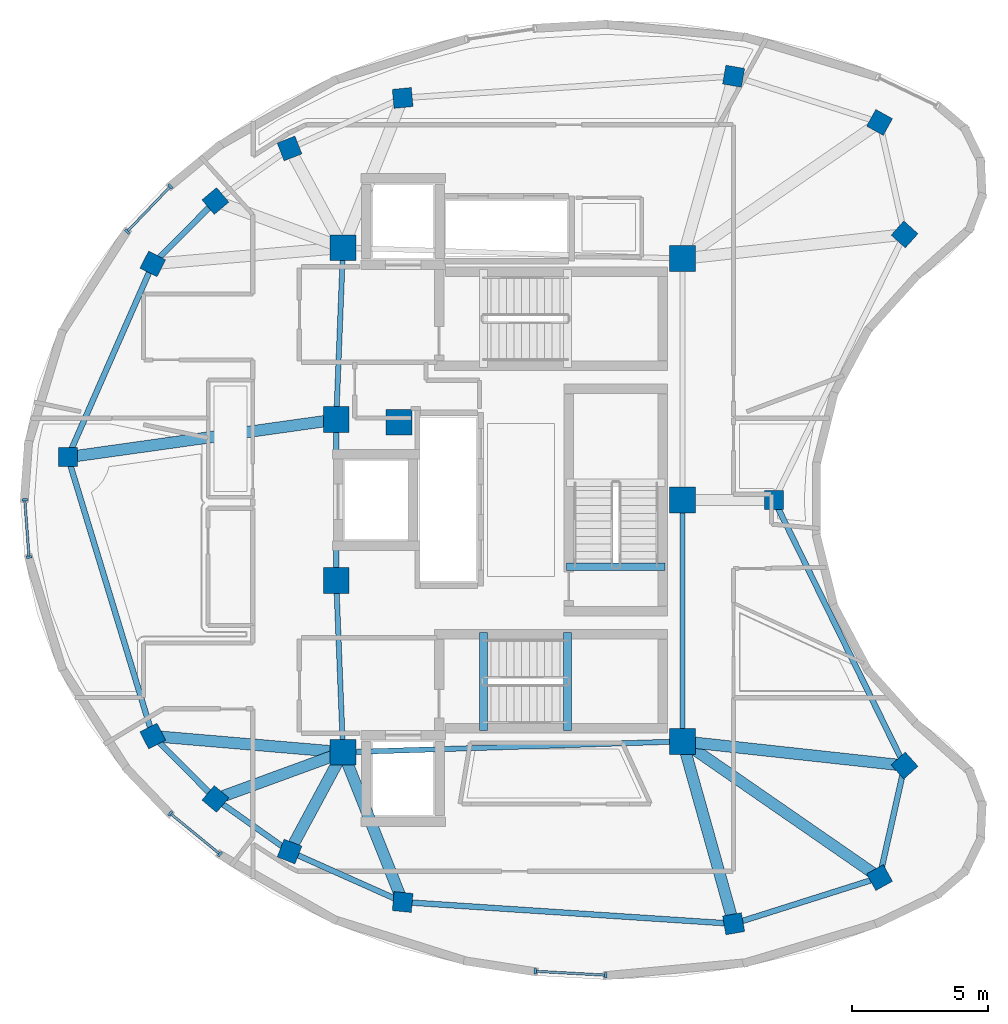
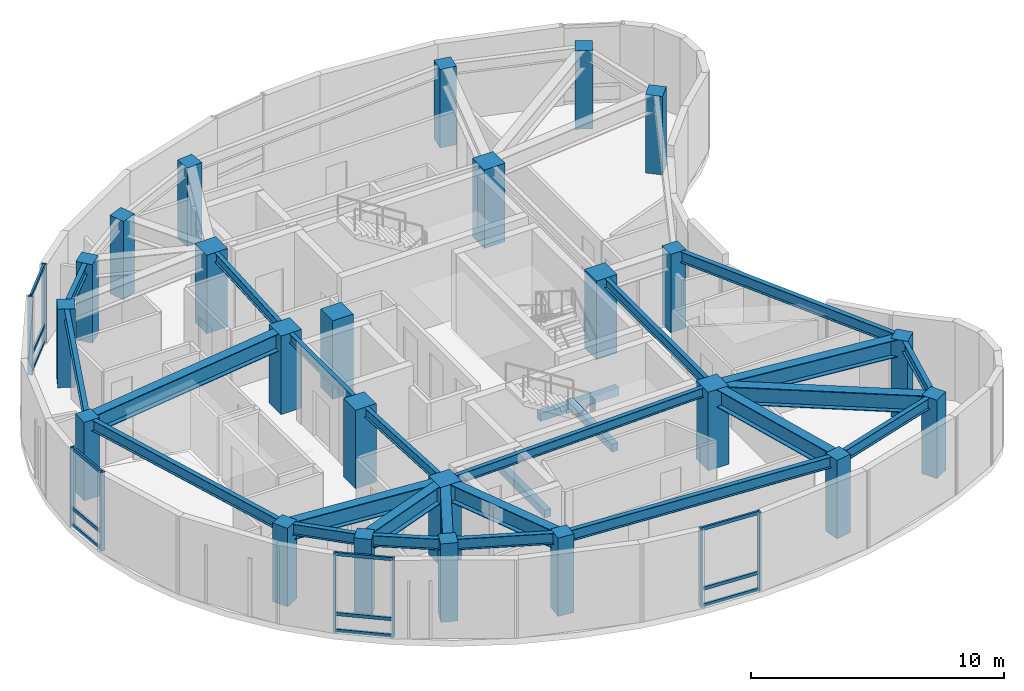
# One storey, part 1 of 8: 26 beams, 24 columns, 20 members, 4 elements without a shape of their own.
"""IFC4 building model written with IfcOpenShell, lengths in metres."""

from ifc_helpers import new_model, si_unit, direction, frame, origin, origin_2d, place, context, subcontext, project, spatial, rectangle, i_section, extrude, material, layer, layer_set, material_profile, profile_set, type_object, element, aggregate, save


model = new_model("IFC4")

# Units and contexts
model_context = context("Model", 3, precision=1e-05, world=origin(), true_north=direction((0.0, 1.0)))
body_context = subcontext(model_context, "Body", "Model", "MODEL_VIEW")
ifc_project = project(units=[si_unit("LENGTHUNIT", "METRE"), si_unit("AREAUNIT", "SQUARE_METRE"), si_unit("VOLUMEUNIT", "CUBIC_METRE"), si_unit("PLANEANGLEUNIT", "RADIAN"), si_unit("MASSUNIT", "GRAM", prefix="KILO")], contexts=[model_context])

# Site, building, storey
site_placement = place(None, origin())
site = spatial("IfcSite", under=ifc_project, at=site_placement, CompositionType="ELEMENT")
building_placement = place(site_placement, origin())
building = spatial("IfcBuilding", under=site, at=building_placement, Name="Korentha Bioscience Tower", CompositionType="ELEMENT")
storey_placement = place(building_placement, frame((0.0, 0.0, 318.60009765625)))
storey = spatial("IfcBuildingStorey", under=building, at=storey_placement, Name="L73", CompositionType="ELEMENT", Elevation=318.60009765625)

# Columns
ifc_material_1 = material(Name="Concrete C65", Category="concrete")
ifc_material_profile_1 = material_profile(ifc_material_1, rectangle(XDim=0.949951171875, YDim=0.949951171875, at=origin_2d()), Name="Concrete C65")
ifc_profile_set_1 = profile_set([ifc_material_profile_1], Name="Concrete C65 (COL-CP09)")
column_type_1 = type_object("IfcColumnType", Name="Core Pilaster Column RC 950x950", PredefinedType="PILASTER", material=ifc_profile_set_1)
for number, where, z_axis, x_axis, name in (
    (1, (37.550048828125, 35.85009765625, -0.00048828125), (0.0, 0.0, 1.0), (1.0, 0.0, 0.0), "L73 Core Pilaster CP-01"),
    (2, (25.10009765625, 36.25, -0.00048828125), (0.0, 0.0, 1.0), (1.0, 0.0, 0.0), "L73 Core Pilaster CP-02"),
    (3, (24.85009765625, 29.949951171875, -0.00048828125), (0.0, 0.0, 1.0), (1.0, 0.0, 0.0), "L73 Core Pilaster CP-03"),
    (4, (27.14990234375, 29.85009765625, -0.00048828125), (0.0, 0.0, 1.0), (1.0, 0.0, 0.0), "L73 Core Pilaster CP-04"),
    (5, (24.85009765625, 24.050048828125, -0.00048828125), (0.0, 0.0, 1.0), (1.0, 0.0, 0.0), "L73 Core Pilaster CP-05"),
    (6, (25.10009765625, 17.75, -0.00048828125), (0.0, 0.0, 1.0), (1.0, 0.0, 0.0), "L73 Core Pilaster CP-06"),
    (7, (37.550048828125, 18.14990234375, -0.00048828125), (0.0, 0.0, 1.0), (1.0, 0.0, 0.0), "L73 Core Pilaster CP-07"),
    (8, (37.550048828125, 27.0, -0.00048828125), (0.0, 0.0, 1.0), (1.0, 0.0, 0.0), "L73 Core Pilaster CP-08"),
):
    element("IfcColumn", number, at=place(storey_placement, frame(where, z_axis=z_axis, x_axis=x_axis)), inside=storey, type_object=column_type_1, Name=name, PredefinedType="PILASTER", context=body_context, shape_type="SweptSolid", body=[
        extrude(rectangle(XDim=0.949951171875, YDim=0.949951171875, at=origin_2d()), origin(), (0.0, 0.0, 1.0), 3.790771484375),
    ])
ifc_material_2 = material(Name="Concrete C50", Category="concrete")
ifc_material_profile_2 = material_profile(ifc_material_2, rectangle(XDim=0.699951171875, YDim=0.699951171875, at=origin_2d()), Name="Concrete C50")
ifc_profile_set_2 = profile_set([ifc_material_profile_2], Name="Concrete C50 (COL-P07)")
column_type_2 = type_object("IfcColumnType", Name="Perimeter Column RC 700x700", PredefinedType="COLUMN", material=ifc_profile_set_2)
for number, where, z_axis, x_axis, name in (
    (9, (44.77099609375, 40.843505859375, -0.00048828125), (0.0, 0.0, 1.0), (-0.874535078577, 0.484962262797, 0.0), "L73 Perimeter Column 01"),
    (10, (39.42138671875, 42.537353515625, -0.00048828125), (0.0, 0.0, 1.0), (-0.984868307662, 0.173304404339, 0.0), "L73 Perimeter Column 02"),
    (11, (27.2861328125, 41.740234375, -0.00048828125), (0.0, 0.0, 1.0), (0.995462868748, 0.095150811579, 0.0), "L73 Perimeter Column 03"),
    (12, (23.13818359375, 39.888916015625, -0.00048828125), (0.0, 0.0, 1.0), (0.930225540858, 0.366988341962, 0.0), "L73 Perimeter Column 04"),
    (13, (20.421630859375, 37.9619140625, -0.00048828125), (0.0, 0.0, 1.0), (0.764246456939, 0.644924300253, 0.0), "L73 Perimeter Column 05"),
    (14, (18.125, 35.6552734375, -0.00048828125), (0.0, 0.0, 1.0), (0.453057191132, 0.891481453292, 0.0), "L73 Perimeter Column 06"),
    (15, (15.0126953125, 28.570068359375, -0.00048828125), (0.0, 0.0, 1.0), (0.0, 1.0, 0.0), "L73 Perimeter Column 07"),
    (16, (18.125, 18.3447265625, -0.00048828125), (0.0, 0.0, 1.0), (-0.453057191132, 0.891481453292, 0.0), "L73 Perimeter Column 08"),
    (17, (20.421630859375, 16.0380859375, -0.00048828125), (0.0, 0.0, 1.0), (-0.764246456939, 0.644924300253, 0.0), "L73 Perimeter Column 09"),
    (18, (23.13818359375, 14.111083984375, -0.00048828125), (0.0, 0.0, 1.0), (-0.930225540858, 0.366988341962, 0.0), "L73 Perimeter Column 10"),
    (19, (27.2861328125, 12.259765625, -0.00048828125), (0.0, 0.0, 1.0), (-0.995462868748, 0.095150811579, 0.0), "L73 Perimeter Column 11"),
    (20, (39.42138671875, 11.462646484375, -0.00048828125), (0.0, 0.0, 1.0), (0.984868307662, 0.173304404339, 0.0), "L73 Perimeter Column 12"),
    (21, (44.77099609375, 13.156494140625, -0.00048828125), (0.0, 0.0, 1.0), (0.874535078577, 0.484962262797, 0.0), "L73 Perimeter Column 13"),
    (22, (45.688232421875, 17.26318359375, -0.00048828125), (0.0, 0.0, 1.0), (-0.669130606359, 0.743144825477, 0.0), "L73 Perimeter Column 14"),
    (23, (40.90380859375, 27.0, -0.00048828125), (0.0, 0.0, 1.0), (0.0, 1.0, 0.0), "L73 Perimeter Column 15"),
    (24, (45.688232421875, 36.73681640625, -0.00048828125), (0.0, 0.0, 1.0), (0.669130606359, 0.743144825477, 0.0), "L73 Perimeter Column 16"),
):
    element("IfcColumn", number, at=place(storey_placement, frame(where, z_axis=z_axis, x_axis=x_axis)), inside=storey, type_object=column_type_2, Name=name, PredefinedType="COLUMN", context=body_context, shape_type="SweptSolid", body=[
        extrude(rectangle(XDim=0.699951171875, YDim=0.699951171875, at=origin_2d()), origin(), (0.0, 0.0, 1.0), 3.790771484375),
    ])

# Beams
ifc_material_profile_3 = material_profile(ifc_material_2, rectangle(XDim=0.280029296875, YDim=0.3798828125, at=origin_2d()), Name="Concrete C50")
ifc_profile_set_3 = profile_set([ifc_material_profile_3], Name="Concrete C50 (ST-HB380)")
beam_type_1 = type_object("IfcBeamType", Name="Concrete Stair Header Beam RC 280x380", PredefinedType="BEAM", material=ifc_profile_set_3)
for number, where, z_axis, x_axis, name in (
    (25, (30.25, 18.550048828125, -0.190185546875), (0.0, 1.0, 0.0), (-1.0, 0.0, 0.0), "L73 ST-2 Concrete Stair Header Beam"),
    (26, (33.330078125, 18.550048828125, 1.909912109375), (0.0, 1.0, 0.0), (-1.0, 0.0, 0.0), "L73 ST-2 Half-Landing Header Beam 1"),
    (27, (36.89990234375, 24.550048828125, -0.190185546875), (-1.0, 0.0, 0.0), (0.0, -1.0, 0.0), "L73 ST-3 Concrete Stair Header Beam"),
):
    element("IfcBeam", number, at=place(storey_placement, frame(where, z_axis=z_axis, x_axis=x_axis)), inside=storey, type_object=beam_type_1, Name=name, PredefinedType="BEAM", context=body_context, shape_type="SweptSolid", body=[
        extrude(rectangle(XDim=0.280029296875, YDim=0.3798828125, at=origin_2d()), origin(), (0.0, 0.0, 1.0), 3.599853515625),
    ])
ifc_material_3 = material(Name="Steel S355", Category="steel")
ifc_material_profile_4 = material_profile(ifc_material_3, i_section(OverallWidth=0.18994140625, OverallDepth=0.45703125, WebThickness=0.009033203125, FlangeThickness=0.014404296875, at=origin_2d()), Name="Steel S355")
ifc_profile_set_4 = profile_set([ifc_material_profile_4], Name="Steel S355 (MB-460)")
beam_type_2 = type_object("IfcBeamType", Name="Mid-Ring Tie Girder W460x74", PredefinedType="BEAM", material=ifc_profile_set_4)
beam_1_placement = place(storey_placement, frame((25.10009765625, 36.25, 3.5615234375), z_axis=(-0.039651025576, -0.999213588864, 0.0), x_axis=(0.999213588864, -0.039651025576, 0.0)))
element("IfcBeam", 28, at=beam_1_placement, inside=storey, type_object=beam_type_2, Name="L73 Core Ring Tie Girder 02", PredefinedType="BEAM", context=body_context, shape_type="SweptSolid", body=[
    extrude(i_section(OverallWidth=0.18994140625, OverallDepth=0.45703125, WebThickness=0.009033203125, FlangeThickness=0.014404296875, at=origin_2d()), origin(), (0.0, 0.0, 1.0), 6.304931640625),
])
beam_2_placement = place(storey_placement, frame((24.85009765625, 29.949951171875, 3.5615234375), z_axis=(0.0, -1.0, 0.0), x_axis=(1.0, 0.0, 0.0)))
element("IfcBeam", 29, at=beam_2_placement, inside=storey, type_object=beam_type_2, Name="L73 Core Ring Tie Girder 03", PredefinedType="BEAM", context=body_context, shape_type="SweptSolid", body=[
    extrude(i_section(OverallWidth=0.18994140625, OverallDepth=0.45703125, WebThickness=0.009033203125, FlangeThickness=0.014404296875, at=origin_2d()), origin(), (0.0, 0.0, 1.0), 5.89990234375),
])
beam_3_placement = place(storey_placement, frame((24.85009765625, 24.050048828125, 3.5615234375), z_axis=(0.039651025576, -0.999213588864, 0.0), x_axis=(0.999213588864, 0.039651025576, 0.0)))
element("IfcBeam", 30, at=beam_3_placement, inside=storey, type_object=beam_type_2, Name="L73 Core Ring Tie Girder 04", PredefinedType="BEAM", context=body_context, shape_type="SweptSolid", body=[
    extrude(i_section(OverallWidth=0.18994140625, OverallDepth=0.45703125, WebThickness=0.009033203125, FlangeThickness=0.014404296875, at=origin_2d()), origin(), (0.0, 0.0, 1.0), 6.304931640625),
])
beam_4_placement = place(storey_placement, frame((25.10009765625, 17.75, 3.5615234375), z_axis=(0.999484526071, 0.032104238723, 0.0), x_axis=(-0.032104238723, 0.999484526071, 0.0)))
element("IfcBeam", 31, at=beam_4_placement, inside=storey, type_object=beam_type_2, Name="L73 Core Ring Tie Girder 05", PredefinedType="BEAM", context=body_context, shape_type="SweptSolid", body=[
    extrude(i_section(OverallWidth=0.18994140625, OverallDepth=0.45703125, WebThickness=0.009033203125, FlangeThickness=0.014404296875, at=origin_2d()), origin(), (0.0, 0.0, 1.0), 12.456298828125),
])
beam_5_placement = place(storey_placement, frame((37.550048828125, 18.14990234375, 3.5615234375), z_axis=(0.0, 1.0, 0.0), x_axis=(-1.0, 0.0, 0.0)))
element("IfcBeam", 32, at=beam_5_placement, inside=storey, type_object=beam_type_2, Name="L73 Core Ring Tie Girder 06", PredefinedType="BEAM", context=body_context, shape_type="SweptSolid", body=[
    extrude(i_section(OverallWidth=0.18994140625, OverallDepth=0.45703125, WebThickness=0.009033203125, FlangeThickness=0.014404296875, at=origin_2d()), origin(), (0.0, 0.0, 1.0), 8.85009765625),
])

# Curtain wall, members
ifc_material_4 = material(Name="Structural Silicone Glazed Aluminium", Category="aluminium")
ifc_layer = layer(ifc_material_4, 0.219970703125, Name="Structural Silicone Glazed Aluminium")
ifc_layer_set = layer_set([ifc_layer], Name="Structural Silicone Glazed Aluminium (CW-O1)")
curtain_wall_type = type_object("IfcCurtainWallType", Name="Sky Observatory Acoustic Curtain Wall CW-O1", PredefinedType="USERDEFINED", material=ifc_layer_set)
curtain_wall_1_placement = place(storey_placement, origin())
curtain_wall_1 = element("IfcCurtainWall", 33, at=curtain_wall_1_placement, inside=storey, type_object=curtain_wall_type, Name="L73 Curtain Wall 13", ObjectType="UNITISED", PredefinedType="USERDEFINED")
ifc_material_5 = material(Name="Anodised Aluminium 6063-T6", Category="aluminium")
ifc_material_profile_5 = material_profile(ifc_material_5, rectangle(XDim=0.090087890625, YDim=0.199951171875, at=origin_2d()), Name="Anodised Aluminium 6063-T6")
ifc_profile_set_5 = profile_set([ifc_material_profile_5], Name="Anodised Aluminium 6063-T6 (CW-MUL)")
member_type_1 = type_object("IfcMemberType", Name="Mullion RECT 90x200", PredefinedType="MULLION", material=ifc_profile_set_5)
member_1_placement = place(storey_placement, frame((18.771240234375, 38.49755859375, 0.0), z_axis=(0.0, 0.0, 1.0), x_axis=(-0.691464110116, -0.722410814164, 0.0)))
member_1 = element("IfcMember", 34, at=member_1_placement, type_object=member_type_1, Name="CW-L73-13 Mullion 1", PredefinedType="MULLION", context=body_context, shape_type="SweptSolid", body=[
    extrude(rectangle(XDim=0.090087890625, YDim=0.199951171875, at=origin_2d()), origin(), (0.0, 0.0, 1.0), 3.789794921875),
])
member_2_placement = place(storey_placement, frame((17.18212890625, 36.83740234375, 0.0), z_axis=(0.0, 0.0, 1.0), x_axis=(-0.691464110116, -0.722410814164, 0.0)))
member_2 = element("IfcMember", 35, at=member_2_placement, type_object=member_type_1, Name="CW-L73-13 Mullion 2", PredefinedType="MULLION", context=body_context, shape_type="SweptSolid", body=[
    extrude(rectangle(XDim=0.090087890625, YDim=0.199951171875, at=origin_2d()), origin(), (0.0, 0.0, 1.0), 3.789794921875),
])

curtain_wall_2_placement = place(storey_placement, origin())
curtain_wall_2 = element("IfcCurtainWall", 36, at=curtain_wall_2_placement, inside=storey, type_object=curtain_wall_type, Name="L73 Curtain Wall 19", ObjectType="UNITISED", PredefinedType="USERDEFINED")
member_3_placement = place(storey_placement, frame((13.431884765625, 27.0068359375, 0.0), z_axis=(0.0, 0.0, 1.0), x_axis=(0.073859936969, -0.99726862465, 0.0)))
member_3 = element("IfcMember", 37, at=member_3_placement, type_object=member_type_1, Name="CW-L73-19 Mullion 1", PredefinedType="MULLION", context=body_context, shape_type="SweptSolid", body=[
    extrude(rectangle(XDim=0.090087890625, YDim=0.199951171875, at=origin_2d()), origin(), (0.0, 0.0, 1.0), 3.789794921875),
])
member_4_placement = place(storey_placement, frame((13.58740234375, 24.907958984375, 0.0), z_axis=(0.0, 0.0, 1.0), x_axis=(0.073859936969, -0.99726862465, 0.0)))
member_4 = element("IfcMember", 38, at=member_4_placement, type_object=member_type_1, Name="CW-L73-19 Mullion 2", PredefinedType="MULLION", context=body_context, shape_type="SweptSolid", body=[
    extrude(rectangle(XDim=0.090087890625, YDim=0.199951171875, at=origin_2d()), origin(), (0.0, 0.0, 1.0), 3.789794921875),
])

curtain_wall_3_placement = place(storey_placement, origin())
curtain_wall_3 = element("IfcCurtainWall", 39, at=curtain_wall_3_placement, inside=storey, type_object=curtain_wall_type, Name="L73 Curtain Wall 25", ObjectType="UNITISED", PredefinedType="USERDEFINED")
member_5_placement = place(storey_placement, frame((18.764404296875, 15.5087890625, 0.0), z_axis=(0.0, 0.0, 1.0), x_axis=(0.773456171637, -0.633849785483, 0.0)))
member_5 = element("IfcMember", 40, at=member_5_placement, type_object=member_type_1, Name="CW-L73-25 Mullion 1", PredefinedType="MULLION", context=body_context, shape_type="SweptSolid", body=[
    extrude(rectangle(XDim=0.090087890625, YDim=0.199951171875, at=origin_2d()), origin(), (0.0, 0.0, 1.0), 3.789794921875),
])
member_6_placement = place(storey_placement, frame((20.586669921875, 14.015380859375, 0.0), z_axis=(0.0, 0.0, 1.0), x_axis=(0.773456171637, -0.633849785483, 0.0)))
member_6 = element("IfcMember", 41, at=member_6_placement, type_object=member_type_1, Name="CW-L73-25 Mullion 2", PredefinedType="MULLION", context=body_context, shape_type="SweptSolid", body=[
    extrude(rectangle(XDim=0.090087890625, YDim=0.199951171875, at=origin_2d()), origin(), (0.0, 0.0, 1.0), 3.789794921875),
])

curtain_wall_4_placement = place(storey_placement, origin())
curtain_wall_4 = element("IfcCurtainWall", 42, at=curtain_wall_4_placement, inside=storey, type_object=curtain_wall_type, Name="L73 Curtain Wall 31", ObjectType="UNITISED", PredefinedType="USERDEFINED")
member_7_placement = place(storey_placement, frame((32.149658203125, 9.72119140625, 0.0), z_axis=(0.0, 0.0, 1.0), x_axis=(0.998475949486, -0.055188570363, 0.0)))
member_7 = element("IfcMember", 43, at=member_7_placement, type_object=member_type_1, Name="CW-L73-31 Mullion 1", PredefinedType="MULLION", context=body_context, shape_type="SweptSolid", body=[
    extrude(rectangle(XDim=0.090087890625, YDim=0.199951171875, at=origin_2d()), origin(), (0.0, 0.0, 1.0), 3.789794921875),
])
member_8_placement = place(storey_placement, frame((34.732177734375, 9.57861328125, 0.0), z_axis=(0.0, 0.0, 1.0), x_axis=(0.998475949486, -0.055188570363, 0.0)))
member_8 = element("IfcMember", 44, at=member_8_placement, type_object=member_type_1, Name="CW-L73-31 Mullion 2", PredefinedType="MULLION", context=body_context, shape_type="SweptSolid", body=[
    extrude(rectangle(XDim=0.090087890625, YDim=0.199951171875, at=origin_2d()), origin(), (0.0, 0.0, 1.0), 3.789794921875),
])

# Beams
ifc_material_profile_6 = material_profile(ifc_material_3, i_section(OverallWidth=0.208984375, OverallDepth=0.532958984375, WebThickness=0.01025390625, FlangeThickness=0.015625, at=origin_2d()), Name="Steel S355")
ifc_profile_set_6 = profile_set([ifc_material_profile_6], Name="Steel S355 (SB-530)")
beam_type_3 = type_object("IfcBeamType", Name="Perimeter Ring Spandrel Girder W530x92", PredefinedType="SPANDREL", material=ifc_profile_set_6)
beam_6_placement = place(storey_placement, frame((20.421630859375, 37.9619140625, 3.5234375), z_axis=(-0.705567516795, -0.708642702103, 0.0), x_axis=(0.708642702103, -0.705567516795, 0.0)))
element("IfcBeam", 45, at=beam_6_placement, inside=storey, type_object=beam_type_3, Name="L73 Perimeter Spandrel Girder 05", PredefinedType="SPANDREL", context=body_context, shape_type="SweptSolid", body=[
    extrude(i_section(OverallWidth=0.208984375, OverallDepth=0.532958984375, WebThickness=0.01025390625, FlangeThickness=0.015625, at=origin_2d()), origin(), (0.0, 0.0, 1.0), 3.255126953125),
])
beam_7_placement = place(storey_placement, frame((18.125, 35.6552734375, 3.5234375), z_axis=(-0.402177140297, -0.915561875475, 0.0), x_axis=(0.915561875475, -0.402177140297, 0.0)))
element("IfcBeam", 46, at=beam_7_placement, inside=storey, type_object=beam_type_3, Name="L73 Perimeter Spandrel Girder 06", PredefinedType="SPANDREL", context=body_context, shape_type="SweptSolid", body=[
    extrude(i_section(OverallWidth=0.208984375, OverallDepth=0.532958984375, WebThickness=0.01025390625, FlangeThickness=0.015625, at=origin_2d()), origin(), (0.0, 0.0, 1.0), 7.738525390625),
])
beam_8_placement = place(storey_placement, frame((15.0126953125, 28.570068359375, 3.5234375), z_axis=(0.291182520757, -0.956667517796, 0.0), x_axis=(0.956667517796, 0.291182520757, 0.0)))
element("IfcBeam", 47, at=beam_8_placement, inside=storey, type_object=beam_type_3, Name="L73 Perimeter Spandrel Girder 07", PredefinedType="SPANDREL", context=body_context, shape_type="SweptSolid", body=[
    extrude(i_section(OverallWidth=0.208984375, OverallDepth=0.532958984375, WebThickness=0.01025390625, FlangeThickness=0.015625, at=origin_2d()), origin(), (0.0, 0.0, 1.0), 10.6884765625),
])
beam_9_placement = place(storey_placement, frame((18.125, 18.3447265625, 3.5234375), z_axis=(0.705567516795, -0.708642702103, 0.0), x_axis=(0.708642702103, 0.705567516795, 0.0)))
element("IfcBeam", 48, at=beam_9_placement, inside=storey, type_object=beam_type_3, Name="L73 Perimeter Spandrel Girder 08", PredefinedType="SPANDREL", context=body_context, shape_type="SweptSolid", body=[
    extrude(i_section(OverallWidth=0.208984375, OverallDepth=0.532958984375, WebThickness=0.01025390625, FlangeThickness=0.015625, at=origin_2d()), origin(), (0.0, 0.0, 1.0), 3.255126953125),
])
beam_10_placement = place(storey_placement, frame((20.421630859375, 16.0380859375, 3.5234375), z_axis=(0.815631003844, -0.578572437615, 0.0), x_axis=(0.578572437615, 0.815631003844, 0.0)))
element("IfcBeam", 49, at=beam_10_placement, inside=storey, type_object=beam_type_3, Name="L73 Perimeter Spandrel Girder 09", PredefinedType="SPANDREL", context=body_context, shape_type="SweptSolid", body=[
    extrude(i_section(OverallWidth=0.208984375, OverallDepth=0.532958984375, WebThickness=0.01025390625, FlangeThickness=0.015625, at=origin_2d()), origin(), (0.0, 0.0, 1.0), 3.33056640625),
])
beam_11_placement = place(storey_placement, frame((23.13818359375, 14.111083984375, 3.5234375), z_axis=(0.913174320366, -0.407569209613, 0.0), x_axis=(0.407569209613, 0.913174320366, 0.0)))
element("IfcBeam", 50, at=beam_11_placement, inside=storey, type_object=beam_type_3, Name="L73 Perimeter Spandrel Girder 10", PredefinedType="SPANDREL", context=body_context, shape_type="SweptSolid", body=[
    extrude(i_section(OverallWidth=0.208984375, OverallDepth=0.532958984375, WebThickness=0.01025390625, FlangeThickness=0.015625, at=origin_2d()), origin(), (0.0, 0.0, 1.0), 4.542236328125),
])
beam_12_placement = place(storey_placement, frame((27.2861328125, 12.259765625, 3.5234375), z_axis=(0.997849615433, -0.065544984396, 0.0), x_axis=(0.065544984396, 0.997849615433, 0.0)))
element("IfcBeam", 51, at=beam_12_placement, inside=storey, type_object=beam_type_3, Name="L73 Perimeter Spandrel Girder 11", PredefinedType="SPANDREL", context=body_context, shape_type="SweptSolid", body=[
    extrude(i_section(OverallWidth=0.208984375, OverallDepth=0.532958984375, WebThickness=0.01025390625, FlangeThickness=0.015625, at=origin_2d()), origin(), (0.0, 0.0, 1.0), 12.161376953125),
])
beam_13_placement = place(storey_placement, frame((39.42138671875, 11.462646484375, 3.5234375), z_axis=(0.953352242372, 0.301860070171, 0.0), x_axis=(-0.301860070171, 0.953352242372, 0.0)))
element("IfcBeam", 52, at=beam_13_placement, inside=storey, type_object=beam_type_3, Name="L73 Perimeter Spandrel Girder 12", PredefinedType="SPANDREL", context=body_context, shape_type="SweptSolid", body=[
    extrude(i_section(OverallWidth=0.208984375, OverallDepth=0.532958984375, WebThickness=0.01025390625, FlangeThickness=0.015625, at=origin_2d()), origin(), (0.0, 0.0, 1.0), 5.611328125),
])
beam_14_placement = place(storey_placement, frame((44.77099609375, 13.156494140625, 3.5234375), z_axis=(0.21798083403, 0.975953050098, 0.0), x_axis=(-0.975953050098, 0.21798083403, 0.0)))
element("IfcBeam", 53, at=beam_14_placement, inside=storey, type_object=beam_type_3, Name="L73 Perimeter Spandrel Girder 13", PredefinedType="SPANDREL", context=body_context, shape_type="SweptSolid", body=[
    extrude(i_section(OverallWidth=0.208984375, OverallDepth=0.532958984375, WebThickness=0.01025390625, FlangeThickness=0.015625, at=origin_2d()), origin(), (0.0, 0.0, 1.0), 4.207763671875),
])
beam_15_placement = place(storey_placement, frame((45.688232421875, 17.26318359375, 3.5234375), z_axis=(-0.441009789641, 0.897502292722, 0.0), x_axis=(-0.897502292722, -0.441009789641, 0.0)))
element("IfcBeam", 54, at=beam_15_placement, inside=storey, type_object=beam_type_3, Name="L73 Perimeter Spandrel Girder 14", PredefinedType="SPANDREL", context=body_context, shape_type="SweptSolid", body=[
    extrude(i_section(OverallWidth=0.208984375, OverallDepth=0.532958984375, WebThickness=0.01025390625, FlangeThickness=0.015625, at=origin_2d()), origin(), (0.0, 0.0, 1.0), 10.848876953125),
])
ifc_material_profile_7 = material_profile(ifc_material_3, i_section(OverallWidth=0.419921875, OverallDepth=0.85009765625, WebThickness=0.01806640625, FlangeThickness=0.031982421875, at=origin_2d()), Name="Steel S355")
ifc_profile_set_7 = profile_set([ifc_material_profile_7], Name="Steel S355 (MB-850)")
beam_type_4 = type_object("IfcBeamType", Name="Plant Heavy Girder CVS 850x315", PredefinedType="BEAM", material=ifc_profile_set_7)
beam_16_placement = place(storey_placement, frame((24.85009765625, 29.949951171875, 3.364990234375), z_axis=(-0.990305131157, -0.138909132906, 0.0), x_axis=(0.138909132906, -0.990305131157, 0.0)))
element("IfcBeam", 55, at=beam_16_placement, inside=storey, type_object=beam_type_4, Name="L73 Radial Girder 07", PredefinedType="BEAM", context=body_context, shape_type="SweptSolid", body=[
    extrude(i_section(OverallWidth=0.419921875, OverallDepth=0.85009765625, WebThickness=0.01806640625, FlangeThickness=0.031982421875, at=origin_2d()), origin(), (0.0, 0.0, 1.0), 9.93359375),
])
beam_17_placement = place(storey_placement, frame((25.10009765625, 17.75, 3.364990234375), z_axis=(-0.996384703201, 0.084956007595, 0.0), x_axis=(-0.084956007595, -0.996384703201, 0.0)))
element("IfcBeam", 56, at=beam_17_placement, inside=storey, type_object=beam_type_4, Name="L73 Radial Girder 08", PredefinedType="BEAM", context=body_context, shape_type="SweptSolid", body=[
    extrude(i_section(OverallWidth=0.419921875, OverallDepth=0.85009765625, WebThickness=0.01806640625, FlangeThickness=0.031982421875, at=origin_2d()), origin(), (0.0, 0.0, 1.0), 7.00048828125),
])
beam_18_placement = place(storey_placement, frame((25.10009765625, 17.75, 3.364990234375), z_axis=(-0.939104724197, -0.34363107687, 0.0), x_axis=(0.34363107687, -0.939104724197, 0.0)))
element("IfcBeam", 57, at=beam_18_placement, inside=storey, type_object=beam_type_4, Name="L73 Radial Girder 09", PredefinedType="BEAM", context=body_context, shape_type="SweptSolid", body=[
    extrude(i_section(OverallWidth=0.419921875, OverallDepth=0.85009765625, WebThickness=0.01806640625, FlangeThickness=0.031982421875, at=origin_2d()), origin(), (0.0, 0.0, 1.0), 4.98193359375),
])
beam_19_placement = place(storey_placement, frame((25.10009765625, 17.75, 3.364990234375), z_axis=(-0.474568134662, -0.880218771422, 0.0), x_axis=(0.880218771422, -0.474568134662, 0.0)))
element("IfcBeam", 58, at=beam_19_placement, inside=storey, type_object=beam_type_4, Name="L73 Radial Girder 10", PredefinedType="BEAM", context=body_context, shape_type="SweptSolid", body=[
    extrude(i_section(OverallWidth=0.419921875, OverallDepth=0.85009765625, WebThickness=0.01806640625, FlangeThickness=0.031982421875, at=origin_2d()), origin(), (0.0, 0.0, 1.0), 4.134033203125),
])
beam_20_placement = place(storey_placement, frame((25.10009765625, 17.75, 3.364990234375), z_axis=(0.369922863927, -0.929062470851, 0.0), x_axis=(0.929062470851, 0.369922863927, 0.0)))
element("IfcBeam", 59, at=beam_20_placement, inside=storey, type_object=beam_type_4, Name="L73 Radial Girder 11", PredefinedType="BEAM", context=body_context, shape_type="SweptSolid", body=[
    extrude(i_section(OverallWidth=0.419921875, OverallDepth=0.85009765625, WebThickness=0.01806640625, FlangeThickness=0.031982421875, at=origin_2d()), origin(), (0.0, 0.0, 1.0), 5.909423828125),
])
beam_21_placement = place(storey_placement, frame((37.550048828125, 18.14990234375, 3.364990234375), z_axis=(0.269483866639, -0.963004904256, 0.0), x_axis=(0.963004904256, 0.269483866639, 0.0)))
element("IfcBeam", 60, at=beam_21_placement, inside=storey, type_object=beam_type_4, Name="L73 Radial Girder 12", PredefinedType="BEAM", context=body_context, shape_type="SweptSolid", body=[
    extrude(i_section(OverallWidth=0.419921875, OverallDepth=0.85009765625, WebThickness=0.01806640625, FlangeThickness=0.031982421875, at=origin_2d()), origin(), (0.0, 0.0, 1.0), 6.944091796875),
])
beam_22_placement = place(storey_placement, frame((37.550048828125, 18.14990234375, 3.364990234375), z_axis=(0.822496411979, -0.568770298347, 0.0), x_axis=(0.568770298347, 0.822496411979, 0.0)))
element("IfcBeam", 61, at=beam_22_placement, inside=storey, type_object=beam_type_4, Name="L73 Radial Girder 13", PredefinedType="BEAM", context=body_context, shape_type="SweptSolid", body=[
    extrude(i_section(OverallWidth=0.419921875, OverallDepth=0.85009765625, WebThickness=0.01806640625, FlangeThickness=0.031982421875, at=origin_2d()), origin(), (0.0, 0.0, 1.0), 8.779296875),
])
beam_23_placement = place(storey_placement, frame((37.550048828125, 18.14990234375, 3.364990234375), z_axis=(0.994116431558, -0.108316760047, 0.0), x_axis=(0.108316760047, 0.994116431558, 0.0)))
element("IfcBeam", 62, at=beam_23_placement, inside=storey, type_object=beam_type_4, Name="L73 Radial Girder 14", PredefinedType="BEAM", context=body_context, shape_type="SweptSolid", body=[
    extrude(i_section(OverallWidth=0.419921875, OverallDepth=0.85009765625, WebThickness=0.01806640625, FlangeThickness=0.031982421875, at=origin_2d()), origin(), (0.0, 0.0, 1.0), 8.186279296875),
])

# Member
ifc_material_profile_8 = material_profile(ifc_material_5, rectangle(XDim=0.090087890625, YDim=0.159912109375, at=origin_2d()), Name="Anodised Aluminium 6063-T6")
ifc_profile_set_8 = profile_set([ifc_material_profile_8], Name="Anodised Aluminium 6063-T6 (CW-TRN)")
member_type_2 = type_object("IfcMemberType", Name="Transom RECT 90x160", PredefinedType="USERDEFINED", material=ifc_profile_set_8)
member_9_placement = place(storey_placement, frame((18.739990234375, 38.465087890625, 0.044921875), z_axis=(-0.691456104853, -0.722418476412, 0.0), x_axis=(0.722418476412, -0.691456104853, 0.0)))
member_9 = element("IfcMember", 63, at=member_9_placement, type_object=member_type_2, Name="CW-L73-13 Bay 1 Transom 1", ObjectType="TRANSOM", PredefinedType="USERDEFINED", context=body_context, shape_type="SweptSolid", body=[
    extrude(rectangle(XDim=0.090087890625, YDim=0.159912109375, at=origin_2d()), origin(), (0.0, 0.0, 1.0), 2.207763671875),
])

member_10_placement = place(storey_placement, frame((18.739990234375, 38.465087890625, 0.849853515625), z_axis=(-0.691456104853, -0.722418476412, 0.0), x_axis=(0.722418476412, -0.691456104853, 0.0)))
member_10 = element("IfcMember", 64, at=member_10_placement, type_object=member_type_2, Name="CW-L73-13 Bay 1 Transom 2", ObjectType="TRANSOM", PredefinedType="USERDEFINED", context=body_context, shape_type="SweptSolid", body=[
    extrude(rectangle(XDim=0.090087890625, YDim=0.159912109375, at=origin_2d()), origin(), (0.0, 0.0, 1.0), 2.207763671875),
])

member_11_placement = place(storey_placement, frame((18.739990234375, 38.465087890625, 3.744873046875), z_axis=(-0.691456104853, -0.722418476412, 0.0), x_axis=(0.722418476412, -0.691456104853, 0.0)))
member_11 = element("IfcMember", 65, at=member_11_placement, type_object=member_type_2, Name="CW-L73-13 Bay 1 Transom 3", ObjectType="TRANSOM", PredefinedType="USERDEFINED", context=body_context, shape_type="SweptSolid", body=[
    extrude(rectangle(XDim=0.090087890625, YDim=0.159912109375, at=origin_2d()), origin(), (0.0, 0.0, 1.0), 2.207763671875),
])

aggregate(curtain_wall_1, [member_1, member_2, member_9, member_10, member_11])

member_12_placement = place(storey_placement, frame((13.435302734375, 26.9619140625, 0.044921875), z_axis=(0.073804724967, -0.997272712237, 0.0), x_axis=(0.997272712237, 0.073804724967, 0.0)))
member_12 = element("IfcMember", 66, at=member_12_placement, type_object=member_type_2, Name="CW-L73-19 Bay 1 Transom 1", ObjectType="TRANSOM", PredefinedType="USERDEFINED", context=body_context, shape_type="SweptSolid", body=[
    extrude(rectangle(XDim=0.090087890625, YDim=0.159912109375, at=origin_2d()), origin(), (0.0, 0.0, 1.0), 2.0146484375),
])

member_13_placement = place(storey_placement, frame((13.435302734375, 26.9619140625, 0.849853515625), z_axis=(0.073804724967, -0.997272712237, 0.0), x_axis=(0.997272712237, 0.073804724967, 0.0)))
member_13 = element("IfcMember", 67, at=member_13_placement, type_object=member_type_2, Name="CW-L73-19 Bay 1 Transom 2", ObjectType="TRANSOM", PredefinedType="USERDEFINED", context=body_context, shape_type="SweptSolid", body=[
    extrude(rectangle(XDim=0.090087890625, YDim=0.159912109375, at=origin_2d()), origin(), (0.0, 0.0, 1.0), 2.0146484375),
])

member_14_placement = place(storey_placement, frame((13.435302734375, 26.9619140625, 3.744873046875), z_axis=(0.073804724967, -0.997272712237, 0.0), x_axis=(0.997272712237, 0.073804724967, 0.0)))
member_14 = element("IfcMember", 68, at=member_14_placement, type_object=member_type_2, Name="CW-L73-19 Bay 1 Transom 3", ObjectType="TRANSOM", PredefinedType="USERDEFINED", context=body_context, shape_type="SweptSolid", body=[
    extrude(rectangle(XDim=0.090087890625, YDim=0.159912109375, at=origin_2d()), origin(), (0.0, 0.0, 1.0), 2.0146484375),
])

aggregate(curtain_wall_2, [member_3, member_4, member_12, member_13, member_14])

member_15_placement = place(storey_placement, frame((18.799072265625, 15.48046875, 0.044921875), z_axis=(0.773457902269, -0.63384767367, 0.0), x_axis=(0.63384767367, 0.773457902269, 0.0)))
member_15 = element("IfcMember", 69, at=member_15_placement, type_object=member_type_2, Name="CW-L73-25 Bay 1 Transom 1", ObjectType="TRANSOM", PredefinedType="USERDEFINED", context=body_context, shape_type="SweptSolid", body=[
    extrude(rectangle(XDim=0.090087890625, YDim=0.159912109375, at=origin_2d()), origin(), (0.0, 0.0, 1.0), 2.266357421875),
])

member_16_placement = place(storey_placement, frame((18.799072265625, 15.48046875, 0.849853515625), z_axis=(0.773457902269, -0.63384767367, 0.0), x_axis=(0.63384767367, 0.773457902269, 0.0)))
member_16 = element("IfcMember", 70, at=member_16_placement, type_object=member_type_2, Name="CW-L73-25 Bay 1 Transom 2", ObjectType="TRANSOM", PredefinedType="USERDEFINED", context=body_context, shape_type="SweptSolid", body=[
    extrude(rectangle(XDim=0.090087890625, YDim=0.159912109375, at=origin_2d()), origin(), (0.0, 0.0, 1.0), 2.266357421875),
])

member_17_placement = place(storey_placement, frame((18.799072265625, 15.48046875, 3.744873046875), z_axis=(0.773457902269, -0.63384767367, 0.0), x_axis=(0.63384767367, 0.773457902269, 0.0)))
member_17 = element("IfcMember", 71, at=member_17_placement, type_object=member_type_2, Name="CW-L73-25 Bay 1 Transom 3", ObjectType="TRANSOM", PredefinedType="USERDEFINED", context=body_context, shape_type="SweptSolid", body=[
    extrude(rectangle(XDim=0.090087890625, YDim=0.159912109375, at=origin_2d()), origin(), (0.0, 0.0, 1.0), 2.266357421875),
])

aggregate(curtain_wall_3, [member_5, member_6, member_15, member_16, member_17])

member_18_placement = place(storey_placement, frame((32.194580078125, 9.71875, 0.044921875), z_axis=(0.998477458721, -0.055161258372, 0.0), x_axis=(0.055161258372, 0.998477458721, 0.0)))
member_18 = element("IfcMember", 72, at=member_18_placement, type_object=member_type_2, Name="CW-L73-31 Bay 1 Transom 1", ObjectType="TRANSOM", PredefinedType="USERDEFINED", context=body_context, shape_type="SweptSolid", body=[
    extrude(rectangle(XDim=0.090087890625, YDim=0.159912109375, at=origin_2d()), origin(), (0.0, 0.0, 1.0), 2.496337890625),
])

member_19_placement = place(storey_placement, frame((32.194580078125, 9.71875, 0.849853515625), z_axis=(0.998477458721, -0.055161258372, 0.0), x_axis=(0.055161258372, 0.998477458721, 0.0)))
member_19 = element("IfcMember", 73, at=member_19_placement, type_object=member_type_2, Name="CW-L73-31 Bay 1 Transom 2", ObjectType="TRANSOM", PredefinedType="USERDEFINED", context=body_context, shape_type="SweptSolid", body=[
    extrude(rectangle(XDim=0.090087890625, YDim=0.159912109375, at=origin_2d()), origin(), (0.0, 0.0, 1.0), 2.496337890625),
])

member_20_placement = place(storey_placement, frame((32.194580078125, 9.71875, 3.744873046875), z_axis=(0.998477458721, -0.055161258372, 0.0), x_axis=(0.055161258372, 0.998477458721, 0.0)))
member_20 = element("IfcMember", 74, at=member_20_placement, type_object=member_type_2, Name="CW-L73-31 Bay 1 Transom 3", ObjectType="TRANSOM", PredefinedType="USERDEFINED", context=body_context, shape_type="SweptSolid", body=[
    extrude(rectangle(XDim=0.090087890625, YDim=0.159912109375, at=origin_2d()), origin(), (0.0, 0.0, 1.0), 2.496337890625),
])

aggregate(curtain_wall_4, [member_7, member_8, member_18, member_19, member_20])

save(model, "model.ifc")
